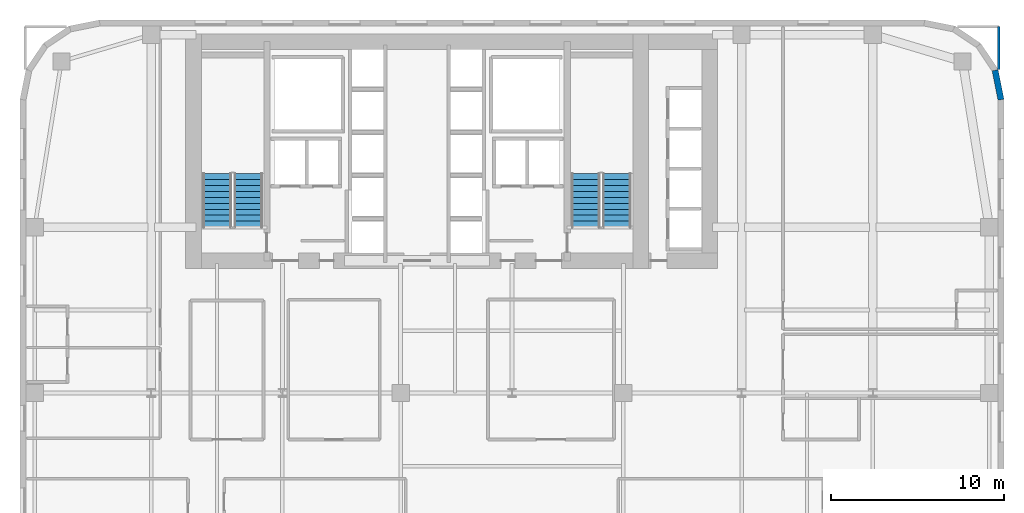
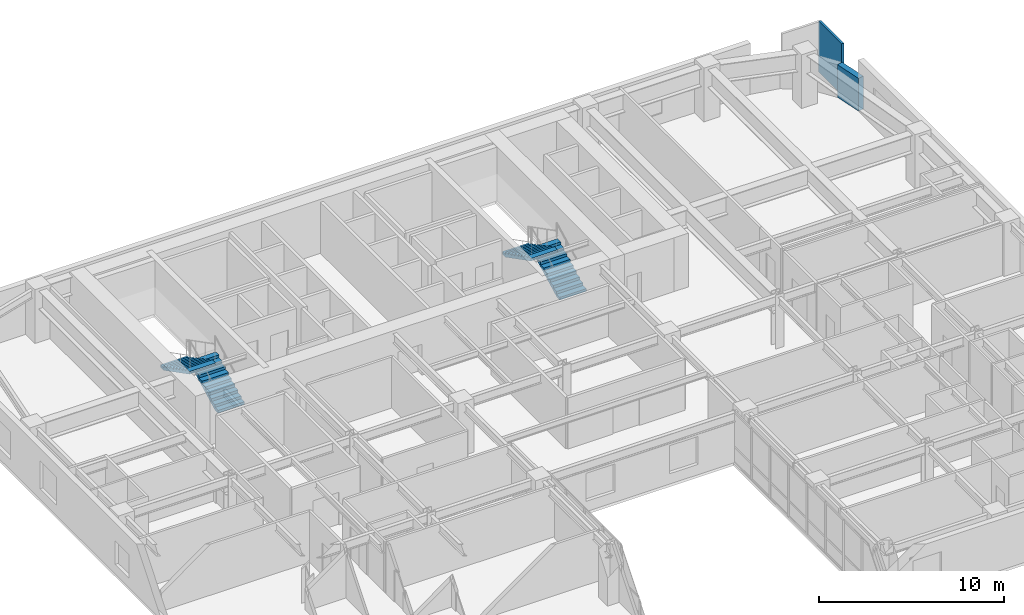
# One storey, part 16 of 17: 4 stair flights, 2 walls, 2 elements without a shape of their own.
"""IFC4 building model written with IfcOpenShell, lengths in metres."""

from ifc_helpers import new_model, si_unit, direction, frame, frame_2d, origin, place, context, subcontext, project, spatial, polyline, rectangle, outline, extrude, material, layer, layer_set, type_object, element, aggregate, save


model = new_model("IFC4")

# Units and contexts
model_context = context("Model", 3, precision=1e-05, world=origin(), true_north=direction((0.0, 1.0)))
body_context = subcontext(model_context, "Body", "Model", "MODEL_VIEW")
ifc_project = project(units=[si_unit("LENGTHUNIT", "METRE"), si_unit("AREAUNIT", "SQUARE_METRE"), si_unit("VOLUMEUNIT", "CUBIC_METRE"), si_unit("PLANEANGLEUNIT", "RADIAN"), si_unit("MASSUNIT", "GRAM", prefix="KILO")], contexts=[model_context])

# Site, building, storey
site_placement = place(None, origin())
site = spatial("IfcSite", under=ifc_project, at=site_placement, CompositionType="ELEMENT")
building_placement = place(site_placement, origin())
building = spatial("IfcBuilding", under=site, at=building_placement, Name="Tolvann Quenvar Hotel", CompositionType="ELEMENT")
storey_placement = place(building_placement, frame((0.0, 0.0, 49.75)))
storey = spatial("IfcBuildingStorey", under=building, at=storey_placement, Name="L11", CompositionType="ELEMENT", Elevation=49.75)

# Walls
ifc_material_1 = material(Name="Kiln-fired red and buff architectural clay brickwork and terracotta masonry", Category="masonry")
ifc_layer_1 = layer(ifc_material_1, 0.35009765625)
ifc_layer_set_1 = layer_set([ifc_layer_1], Name="Kiln-fired red and buff architectural clay brickwork and terracotta masonry")
wall_type_1 = type_object("IfcWallType", Name="WALL_EXT_BRICK_350", PredefinedType="SOLIDWALL", material=ifc_layer_set_1)
wall_1_placement = place(storey_placement, frame((56.824951171875, 41.3828125, 0.0), z_axis=(0.0, 0.0, 1.0), x_axis=(-0.195011420161, 0.980800971659, 0.0)))
element("IfcWall", 1, at=wall_1_placement, inside=storey, type_object=wall_type_1, Name="Exterior Chicago Brick Wall L11-E14", PredefinedType="SOLIDWALL", context=body_context, shape_type="SweptSolid", body=[
    extrude(rectangle(XDim=1.74267578125, YDim=0.35009765625, at=frame_2d((0.871337890625, 0.0))), origin(), (0.0, 0.0, 1.0), 2.159912109375),
])
ifc_material_2 = material(Name="Acoustic twin-stud fire-rated gypsum plasterboard partition")
ifc_layer_2 = layer(ifc_material_2, 0.14990234375)
ifc_layer_set_2 = layer_set([ifc_layer_2], Name="Acoustic twin-stud fire-rated gypsum plasterboard partition")
wall_type_2 = type_object("IfcWallType", Name="WALL_PART_SUITE_150", PredefinedType="PARTITIONING", material=ifc_layer_set_2)
wall_2_placement = place(storey_placement, frame((56.699951171875, 43.135009765625, 0.0), z_axis=(0.0, 0.0, 1.0), x_axis=(0.0, 1.0, 0.0)))
element("IfcWall", 2, at=wall_2_placement, inside=storey, type_object=wall_type_2, Name="Interior Partition PT-SPC-L11-RM-NE01-E4", PredefinedType="PARTITIONING", context=body_context, shape_type="SweptSolid", body=[
    extrude(rectangle(XDim=2.485107421875, YDim=0.14990234375, at=frame_2d((1.24267578125, 0.0))), origin(), (0.0, 0.0, 1.0), 3.3701171875),
])

# Stair, stair flights
ifc_material_3 = material(Name="Concrete N40 (40 MPa)", Category="concrete")
stair_type = type_object("IfcStairType", Name="STAIR", PredefinedType="HALF_TURN_STAIR", material=ifc_material_3)
stair_1_placement = place(storey_placement, origin())
stair_1 = element("IfcStair", 3, at=stair_1_placement, inside=storey, type_object=stair_type, Name="L11 ST-C1", PredefinedType="HALF_TURN_STAIR")
stair_flight_type = type_object("IfcStairFlightType", Name="STAIR_FLIGHT", PredefinedType="STRAIGHT", material=ifc_material_3)
stair_flight_1_placement = place(storey_placement, frame((13.22509765625, 34.0, 0.0), z_axis=(0.0, 0.0, 1.0), x_axis=(0.0, 1.0, 0.0)))
stair_flight_1 = element("IfcStairFlight", 4, at=stair_flight_1_placement, type_object=stair_flight_type, Name="ST-C1 flight 1", NumberOfRisers=10, NumberOfTreads=9, PredefinedType="STRAIGHT", RiserHeight=0.1775, TreadLength=0.345, context=body_context, shape_type="SweptSolid", body=[
    extrude(outline(polyline([(0.0, 0.0), (0.0, 0.177490234375), (0.344970703125, 0.177490234375), (0.344970703125, 0.35498046875), (0.68994140625, 0.35498046875), (0.68994140625, 0.532470703125), (1.034912109375, 0.532470703125), (1.034912109375, 0.7099609375), (1.3798828125, 0.7099609375), (1.3798828125, 0.887451171875), (1.72509765625, 0.887451171875), (1.72509765625, 1.06494140625), (2.070068359375, 1.06494140625), (2.070068359375, 1.242431640625), (2.4150390625, 1.242431640625), (2.4150390625, 1.419921875), (2.760009765625, 1.419921875), (2.760009765625, 1.597412109375), (3.10498046875, 1.597412109375), (3.10498046875, 1.77490234375), (3.10498046875, 1.428955078125), (0.32763671875, 0.0), (0.0, 0.0)])), frame((0.0, 0.824951171875, 0.0), z_axis=(0.0, -1.0, 0.0), x_axis=(1.0, 0.0, 0.0)), (0.0, 0.0, 1.0), 1.64990234375),
])
stair_flight_2_placement = place(storey_placement, frame((11.425048828125, 37.10498046875, 1.77490234375), z_axis=(0.0, 0.0, 1.0), x_axis=(0.0, -1.0, 0.0)))
stair_flight_2 = element("IfcStairFlight", 5, at=stair_flight_2_placement, type_object=stair_flight_type, Name="ST-C1 flight 2", NumberOfRisers=10, NumberOfTreads=9, PredefinedType="STRAIGHT", RiserHeight=0.1775, TreadLength=0.345, context=body_context, shape_type="SweptSolid", body=[
    extrude(outline(polyline([(0.0, 0.0), (0.0, 0.177490234375), (0.344970703125, 0.177490234375), (0.344970703125, 0.35498046875), (0.68994140625, 0.35498046875), (0.68994140625, 0.532470703125), (1.034912109375, 0.532470703125), (1.034912109375, 0.7099609375), (1.3798828125, 0.7099609375), (1.3798828125, 0.887451171875), (1.72509765625, 0.887451171875), (1.72509765625, 1.06494140625), (2.070068359375, 1.06494140625), (2.070068359375, 1.242431640625), (2.4150390625, 1.242431640625), (2.4150390625, 1.419921875), (2.760009765625, 1.419921875), (2.760009765625, 1.597412109375), (3.10498046875, 1.597412109375), (3.10498046875, 1.77490234375), (3.10498046875, 1.428955078125), (0.32763671875, 0.0), (0.0, 0.0)])), frame((0.0, 0.824951171875, 0.0), z_axis=(0.0, -1.0, 0.0), x_axis=(1.0, 0.0, 0.0)), (0.0, 0.0, 1.0), 1.64990234375),
])
aggregate(stair_1, [stair_flight_1, stair_flight_2])

stair_2_placement = place(storey_placement, origin())
stair_2 = element("IfcStair", 6, at=stair_2_placement, inside=storey, type_object=stair_type, Name="L11 ST-C2", PredefinedType="HALF_TURN_STAIR")
stair_flight_3_placement = place(storey_placement, frame((34.574951171875, 34.0, 0.0), z_axis=(0.0, 0.0, 1.0), x_axis=(0.0, 1.0, 0.0)))
stair_flight_3 = element("IfcStairFlight", 7, at=stair_flight_3_placement, type_object=stair_flight_type, Name="ST-C2 flight 1", NumberOfRisers=10, NumberOfTreads=9, PredefinedType="STRAIGHT", RiserHeight=0.1775, TreadLength=0.345, context=body_context, shape_type="SweptSolid", body=[
    extrude(outline(polyline([(0.0, 0.0), (0.0, 0.177490234375), (0.344970703125, 0.177490234375), (0.344970703125, 0.35498046875), (0.68994140625, 0.35498046875), (0.68994140625, 0.532470703125), (1.034912109375, 0.532470703125), (1.034912109375, 0.7099609375), (1.3798828125, 0.7099609375), (1.3798828125, 0.887451171875), (1.72509765625, 0.887451171875), (1.72509765625, 1.06494140625), (2.070068359375, 1.06494140625), (2.070068359375, 1.242431640625), (2.4150390625, 1.242431640625), (2.4150390625, 1.419921875), (2.760009765625, 1.419921875), (2.760009765625, 1.597412109375), (3.10498046875, 1.597412109375), (3.10498046875, 1.77490234375), (3.10498046875, 1.428955078125), (0.32763671875, 0.0), (0.0, 0.0)])), frame((0.0, 0.824951171875, 0.0), z_axis=(0.0, -1.0, 0.0), x_axis=(1.0, 0.0, 0.0)), (0.0, 0.0, 1.0), 1.64990234375),
])
stair_flight_4_placement = place(storey_placement, frame((32.77490234375, 37.10498046875, 1.77490234375), z_axis=(0.0, 0.0, 1.0), x_axis=(0.0, -1.0, 0.0)))
stair_flight_4 = element("IfcStairFlight", 8, at=stair_flight_4_placement, type_object=stair_flight_type, Name="ST-C2 flight 2", NumberOfRisers=10, NumberOfTreads=9, PredefinedType="STRAIGHT", RiserHeight=0.1775, TreadLength=0.345, context=body_context, shape_type="SweptSolid", body=[
    extrude(outline(polyline([(0.0, 0.0), (0.0, 0.177490234375), (0.344970703125, 0.177490234375), (0.344970703125, 0.35498046875), (0.68994140625, 0.35498046875), (0.68994140625, 0.532470703125), (1.034912109375, 0.532470703125), (1.034912109375, 0.7099609375), (1.3798828125, 0.7099609375), (1.3798828125, 0.887451171875), (1.72509765625, 0.887451171875), (1.72509765625, 1.06494140625), (2.070068359375, 1.06494140625), (2.070068359375, 1.242431640625), (2.4150390625, 1.242431640625), (2.4150390625, 1.419921875), (2.760009765625, 1.419921875), (2.760009765625, 1.597412109375), (3.10498046875, 1.597412109375), (3.10498046875, 1.77490234375), (3.10498046875, 1.428955078125), (0.32763671875, 0.0), (0.0, 0.0)])), frame((0.0, 0.824951171875, 0.0), z_axis=(0.0, -1.0, 0.0), x_axis=(1.0, 0.0, 0.0)), (0.0, 0.0, 1.0), 1.64990234375),
])
aggregate(stair_2, [stair_flight_3, stair_flight_4])

save(model, "model.ifc")
